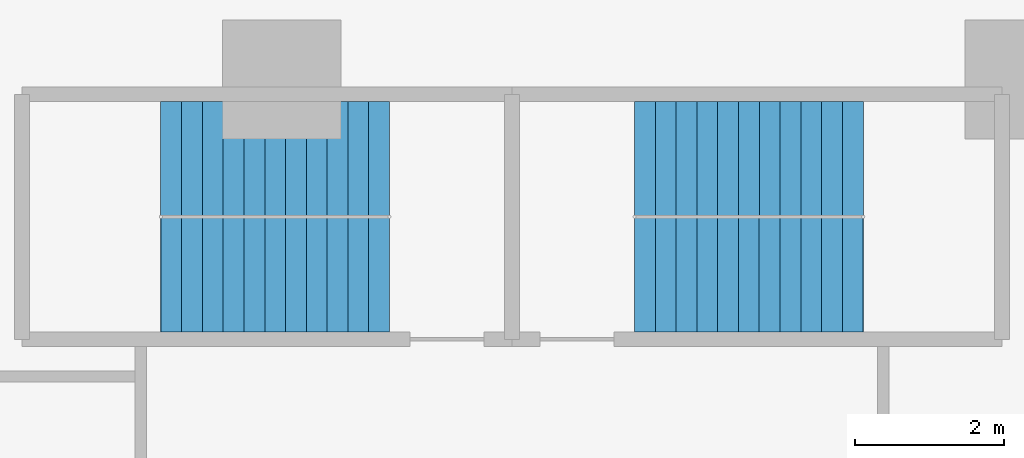
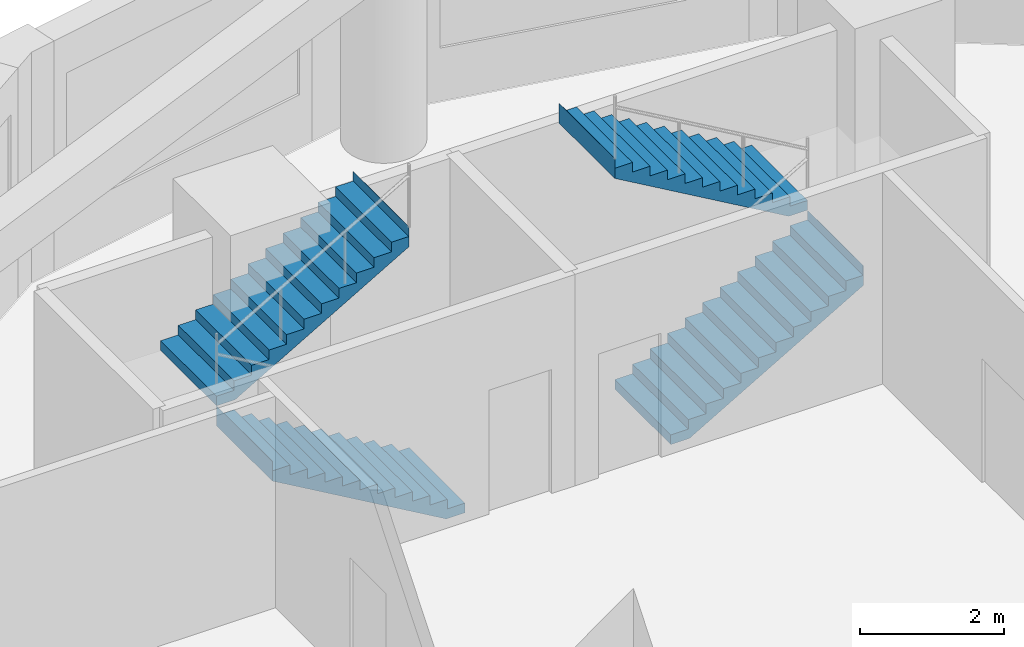
# One storey, part 9 of 11: 4 stair flights, 2 elements without a shape of their own.
"""IFC4 building model written with IfcOpenShell, lengths in metres."""

from ifc_helpers import new_model, si_unit, direction, frame, origin, place, context, subcontext, project, spatial, polyline, outline, extrude, material, type_object, element, aggregate, save


model = new_model("IFC4")

# Units and contexts
model_context = context("Model", 3, precision=1e-05, world=origin(), true_north=direction((0.0, 1.0)))
body_context = subcontext(model_context, "Body", "Model", "MODEL_VIEW")
ifc_project = project(units=[si_unit("LENGTHUNIT", "METRE"), si_unit("AREAUNIT", "SQUARE_METRE"), si_unit("VOLUMEUNIT", "CUBIC_METRE"), si_unit("PLANEANGLEUNIT", "RADIAN"), si_unit("MASSUNIT", "GRAM", prefix="KILO")], contexts=[model_context])

# Site, building, storey
site_placement = place(None, origin())
site = spatial("IfcSite", under=ifc_project, at=site_placement, CompositionType="ELEMENT")
building_placement = place(site_placement, origin())
building = spatial("IfcBuilding", under=site, at=building_placement, Name="Qaws Garden Tower", CompositionType="ELEMENT")
storey_placement = place(building_placement, frame((0.0, 0.0, 90.0)))
storey = spatial("IfcBuildingStorey", under=building, at=storey_placement, Name="L22", CompositionType="ELEMENT", Elevation=90.0)

# Stair, stair flights
ifc_material_1 = material(Name="Concrete C40", Category="concrete")
stair_type = type_object("IfcStairType", Name="Exit stair 1350", PredefinedType="HALF_TURN_STAIR", material=ifc_material_1)
placement = place(storey_placement, origin())
stair_1 = element("IfcStair", 1, at=placement, inside=storey, type_object=stair_type, Name="Stair 6", PredefinedType="HALF_TURN_STAIR")
ifc_material_2 = material(Name="Concrete C40", Category="concrete")
stair_flight_type = type_object("IfcStairFlightType", Name="Stair flight 1350", PredefinedType="STRAIGHT", material=ifc_material_2)
stair_flight_1_placement = place(storey_placement, frame((11.449951171875, 67.375, 0.0), z_axis=(0.0, 0.0, 1.0), x_axis=(-1.0, 0.0, 0.0)))
stair_flight_1 = element("IfcStairFlight", 2, at=stair_flight_1_placement, type_object=stair_flight_type, Name="ST6 flight 1", NumberOfRisers=12, NumberOfTreads=11, PredefinedType="STRAIGHT", RiserHeight=0.1625, TreadLength=0.28, context=body_context, shape_type="SweptSolid", body=[
    extrude(outline(polyline([(-0.0029296875, 0.0), (-0.0029296875, 0.16259765625), (0.0, 0.16259765625), (0.280029296875, 0.16259765625), (0.280029296875, 0.324951171875), (0.56005859375, 0.324951171875), (0.56005859375, 0.487548828125), (0.840087890625, 0.487548828125), (0.840087890625, 0.64990234375), (1.1201171875, 0.64990234375), (1.1201171875, 0.8125), (1.39990234375, 0.8125), (1.39990234375, 0.97509765625), (1.679931640625, 0.97509765625), (1.679931640625, 1.137451171875), (1.9599609375, 1.137451171875), (1.9599609375, 1.300048828125), (2.239990234375, 1.300048828125), (2.239990234375, 1.46240234375), (2.52001953125, 1.46240234375), (2.52001953125, 1.625), (2.800048828125, 1.625), (2.800048828125, 1.78759765625), (3.080078125, 1.78759765625), (3.080078125, 1.949951171875), (3.0830078125, 1.949951171875), (3.0830078125, 1.6142578125), (3.080078125, 1.6142578125), (0.298583984375, 0.0), (-0.0029296875, 0.0)])), frame((0.0, 0.77490234375, 0.0), z_axis=(0.0, -1.0, 0.0), x_axis=(1.0, 0.0, 0.0)), (0.0, 0.0, 1.0), 1.550048828125),
])
stair_flight_2_placement = place(storey_placement, frame((8.3701171875, 68.925048828125, 1.949951171875), z_axis=(0.0, 0.0, 1.0), x_axis=(1.0, 0.0, 0.0)))
stair_flight_2 = element("IfcStairFlight", 3, at=stair_flight_2_placement, type_object=stair_flight_type, Name="ST6 flight 2", NumberOfRisers=12, NumberOfTreads=11, PredefinedType="STRAIGHT", RiserHeight=0.1625, TreadLength=0.28, context=body_context, shape_type="SweptSolid", body=[
    extrude(outline(polyline([(-0.0029296875, 0.0), (-0.0029296875, 0.16259765625), (0.0, 0.16259765625), (0.280029296875, 0.16259765625), (0.280029296875, 0.324951171875), (0.56005859375, 0.324951171875), (0.56005859375, 0.487548828125), (0.840087890625, 0.487548828125), (0.840087890625, 0.64990234375), (1.1201171875, 0.64990234375), (1.1201171875, 0.8125), (1.39990234375, 0.8125), (1.39990234375, 0.97509765625), (1.679931640625, 0.97509765625), (1.679931640625, 1.137451171875), (1.9599609375, 1.137451171875), (1.9599609375, 1.300048828125), (2.239990234375, 1.300048828125), (2.239990234375, 1.46240234375), (2.52001953125, 1.46240234375), (2.52001953125, 1.625), (2.800048828125, 1.625), (2.800048828125, 1.78759765625), (3.080078125, 1.78759765625), (3.080078125, 1.949951171875), (3.0830078125, 1.949951171875), (3.0830078125, 1.6142578125), (3.080078125, 1.6142578125), (0.298583984375, 0.0), (-0.0029296875, 0.0)])), frame((0.0, 0.77490234375, 0.0), z_axis=(0.0, -1.0, 0.0), x_axis=(1.0, 0.0, 0.0)), (0.0, 0.0, 1.0), 1.550048828125),
])
aggregate(stair_1, [stair_flight_1, stair_flight_2])

stair_2 = element("IfcStair", 4, at=placement, inside=storey, type_object=stair_type, Name="Stair 7", PredefinedType="HALF_TURN_STAIR")
stair_flight_3_placement = place(storey_placement, frame((14.75, 67.375, 0.0), z_axis=(0.0, 0.0, 1.0), x_axis=(1.0, 0.0, 0.0)))
stair_flight_3 = element("IfcStairFlight", 5, at=stair_flight_3_placement, type_object=stair_flight_type, Name="ST7 flight 1", NumberOfRisers=12, NumberOfTreads=11, PredefinedType="STRAIGHT", RiserHeight=0.1625, TreadLength=0.28, context=body_context, shape_type="SweptSolid", body=[
    extrude(outline(polyline([(-0.0029296875, 0.0), (-0.0029296875, 0.16259765625), (0.0, 0.16259765625), (0.280029296875, 0.16259765625), (0.280029296875, 0.324951171875), (0.56005859375, 0.324951171875), (0.56005859375, 0.487548828125), (0.840087890625, 0.487548828125), (0.840087890625, 0.64990234375), (1.1201171875, 0.64990234375), (1.1201171875, 0.8125), (1.39990234375, 0.8125), (1.39990234375, 0.97509765625), (1.679931640625, 0.97509765625), (1.679931640625, 1.137451171875), (1.9599609375, 1.137451171875), (1.9599609375, 1.300048828125), (2.239990234375, 1.300048828125), (2.239990234375, 1.46240234375), (2.52001953125, 1.46240234375), (2.52001953125, 1.625), (2.800048828125, 1.625), (2.800048828125, 1.78759765625), (3.080078125, 1.78759765625), (3.080078125, 1.949951171875), (3.0830078125, 1.949951171875), (3.0830078125, 1.6142578125), (3.080078125, 1.6142578125), (0.298583984375, 0.0), (-0.0029296875, 0.0)])), frame((0.0, 0.77490234375, 0.0), z_axis=(0.0, -1.0, 0.0), x_axis=(1.0, 0.0, 0.0)), (0.0, 0.0, 1.0), 1.550048828125),
])
stair_flight_4_placement = place(storey_placement, frame((17.830078125, 68.925048828125, 1.949951171875), z_axis=(0.0, 0.0, 1.0), x_axis=(-1.0, 0.0, 0.0)))
stair_flight_4 = element("IfcStairFlight", 6, at=stair_flight_4_placement, type_object=stair_flight_type, Name="ST7 flight 2", NumberOfRisers=12, NumberOfTreads=11, PredefinedType="STRAIGHT", RiserHeight=0.1625, TreadLength=0.28, context=body_context, shape_type="SweptSolid", body=[
    extrude(outline(polyline([(-0.0029296875, 0.0), (-0.0029296875, 0.16259765625), (0.0, 0.16259765625), (0.280029296875, 0.16259765625), (0.280029296875, 0.324951171875), (0.56005859375, 0.324951171875), (0.56005859375, 0.487548828125), (0.840087890625, 0.487548828125), (0.840087890625, 0.64990234375), (1.1201171875, 0.64990234375), (1.1201171875, 0.8125), (1.39990234375, 0.8125), (1.39990234375, 0.97509765625), (1.679931640625, 0.97509765625), (1.679931640625, 1.137451171875), (1.9599609375, 1.137451171875), (1.9599609375, 1.300048828125), (2.239990234375, 1.300048828125), (2.239990234375, 1.46240234375), (2.52001953125, 1.46240234375), (2.52001953125, 1.625), (2.800048828125, 1.625), (2.800048828125, 1.78759765625), (3.080078125, 1.78759765625), (3.080078125, 1.949951171875), (3.0830078125, 1.949951171875), (3.0830078125, 1.6142578125), (3.080078125, 1.6142578125), (0.298583984375, 0.0), (-0.0029296875, 0.0)])), frame((0.0, 0.77490234375, 0.0), z_axis=(0.0, -1.0, 0.0), x_axis=(1.0, 0.0, 0.0)), (0.0, 0.0, 1.0), 1.550048828125),
])
aggregate(stair_2, [stair_flight_3, stair_flight_4])

save(model, "model.ifc")
